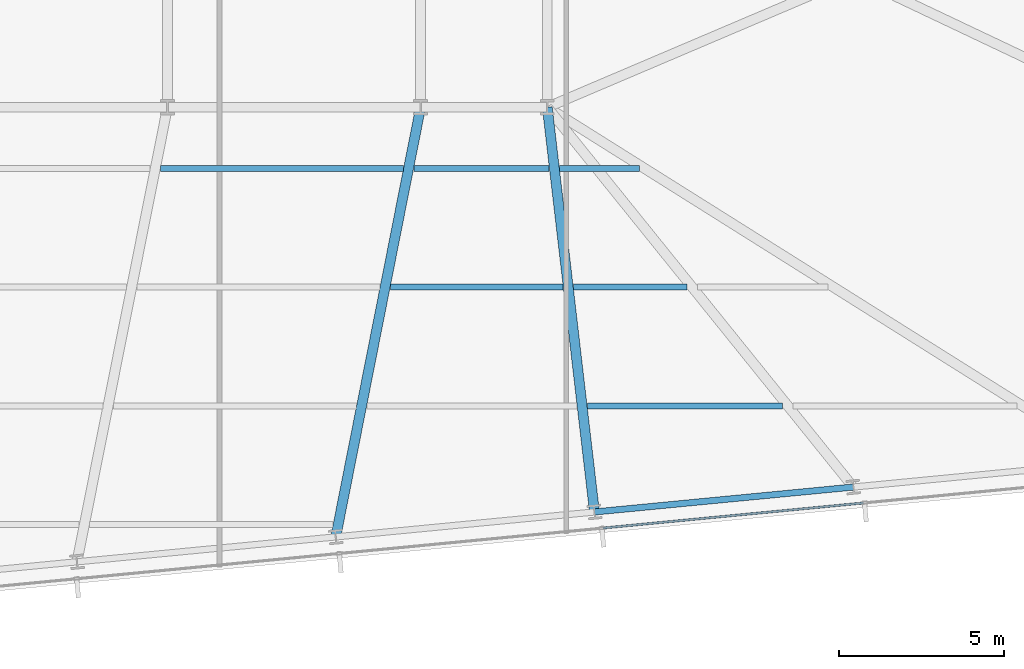
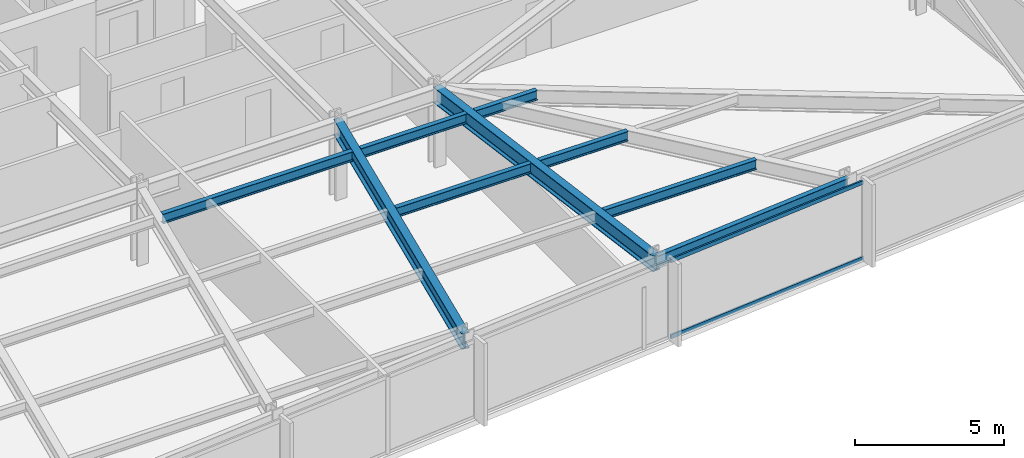
# One storey, part 11 of 32: 9 beams, 2 members, 1 element without a shape of its own.
"""IFC4 building model written with IfcOpenShell, lengths in metres."""

from ifc_helpers import new_model, si_unit, direction, frame, origin, origin_2d, place, context, subcontext, project, spatial, hollow_rectangle, i_section, extrude, material, material_profile, profile_set, type_object, element, aggregate, save


model = new_model("IFC4")

# Units and contexts
model_context = context("Model", 3, precision=1e-05, world=origin(), true_north=direction((0.0, 1.0)))
body_context = subcontext(model_context, "Body", "Model", "MODEL_VIEW")
ifc_project = project(units=[si_unit("LENGTHUNIT", "METRE"), si_unit("AREAUNIT", "SQUARE_METRE"), si_unit("VOLUMEUNIT", "CUBIC_METRE"), si_unit("PLANEANGLEUNIT", "RADIAN"), si_unit("MASSUNIT", "GRAM", prefix="KILO")], contexts=[model_context])

# Site, building, storey
site_placement = place(None, origin())
site = spatial("IfcSite", under=ifc_project, at=site_placement, CompositionType="ELEMENT")
building_placement = place(site_placement, origin())
building = spatial("IfcBuilding", under=site, at=building_placement, Name="Yelkora Congress Tower", CompositionType="ELEMENT")
storey_placement = place(building_placement, frame((0.0, 0.0, 116.89990234375)))
storey = spatial("IfcBuildingStorey", under=building, at=storey_placement, Name="L31", CompositionType="ELEMENT", Elevation=116.89990234375)

# Beams
ifc_material_1 = material(Name="Steel S355J2", Category="steel")
ifc_material_profile_1 = material_profile(ifc_material_1, i_section(OverallWidth=0.300048828125, OverallDepth=0.64990234375, WebThickness=0.01611328125, FlangeThickness=0.031005859375, FilletRadius=0.027099609375, at=origin_2d()), Name="HEB 650")
ifc_profile_set_1 = profile_set([ifc_material_profile_1], Name="Steel S355J2")
beam_type_1 = type_object("IfcBeamType", Name="BM-GIRD-HEB650", PredefinedType="BEAM", material=ifc_profile_set_1)
beam_1_placement = place(storey_placement, frame((51.18359375, 12.16748046875, 2.85498046875), z_axis=(0.193938615251, 0.981013666324, 0.0), x_axis=(-0.981013666324, 0.193938615251, 0.0)))
element("IfcBeam", 1, at=beam_1_placement, inside=storey, type_object=beam_type_1, Name="L31 Primary Frame Girder S05", PredefinedType="BEAM", context=body_context, shape_type="SweptSolid", body=[
    extrude(i_section(OverallWidth=0.300048828125, OverallDepth=0.64990234375, WebThickness=0.01611328125, FlangeThickness=0.031005859375, FilletRadius=0.027099609375, at=origin_2d()), origin(), (0.0, 0.0, 1.0), 13.28466796875),
])
beam_2_placement = place(storey_placement, frame((59.033203125, 12.92333984375, 2.85498046875), z_axis=(-0.115947280821, 0.993255369011, 0.0), x_axis=(-0.993255369011, -0.115947280821, 0.0)))
element("IfcBeam", 2, at=beam_2_placement, inside=storey, type_object=beam_type_1, Name="L31 Primary Frame Girder S06", PredefinedType="BEAM", context=body_context, shape_type="SweptSolid", body=[
    extrude(i_section(OverallWidth=0.300048828125, OverallDepth=0.64990234375, WebThickness=0.01611328125, FlangeThickness=0.031005859375, FilletRadius=0.027099609375, at=origin_2d()), origin(), (0.0, 0.0, 1.0), 12.35986328125),
])
ifc_material_profile_2 = material_profile(ifc_material_1, i_section(OverallWidth=0.179931640625, OverallDepth=0.39990234375, WebThickness=0.008544921875, FlangeThickness=0.013427734375, FilletRadius=0.02099609375, at=origin_2d()), Name="IPE 400")
ifc_profile_set_2 = profile_set([ifc_material_profile_2], Name="Steel S355J2")
beam_type_2 = type_object("IfcBeamType", Name="BM-JOIST-IPE400", PredefinedType="JOIST", material=ifc_profile_set_2)
beam_3_placement = place(storey_placement, frame((58.817138671875, 16.144287109375, 2.97998046875), z_axis=(1.0, 0.0, 0.0), x_axis=(0.0, 1.0, 0.0)))
element("IfcBeam", 3, at=beam_3_placement, inside=storey, type_object=beam_type_2, Name="L31 Composite Floor Joist 9", PredefinedType="JOIST", context=body_context, shape_type="SweptSolid", body=[
    extrude(i_section(OverallWidth=0.179931640625, OverallDepth=0.39990234375, WebThickness=0.008544921875, FlangeThickness=0.013427734375, FilletRadius=0.02099609375, at=origin_2d()), origin(), (0.0, 0.0, 1.0), 5.919189453125),
])
beam_4_placement = place(storey_placement, frame((52.841552734375, 19.744384765625, 2.97998046875), z_axis=(1.0, 0.0, 0.0), x_axis=(0.0, 1.0, 0.0)))
element("IfcBeam", 4, at=beam_4_placement, inside=storey, type_object=beam_type_2, Name="L31 Composite Floor Joist 15", PredefinedType="JOIST", context=body_context, shape_type="SweptSolid", body=[
    extrude(i_section(OverallWidth=0.179931640625, OverallDepth=0.39990234375, WebThickness=0.008544921875, FlangeThickness=0.013427734375, FilletRadius=0.02099609375, at=origin_2d()), origin(), (0.0, 0.0, 1.0), 5.2353515625),
])
beam_5_placement = place(storey_placement, frame((58.39697265625, 19.744384765625, 2.97998046875), z_axis=(1.0, 0.0, 0.0), x_axis=(0.0, 1.0, 0.0)))
element("IfcBeam", 5, at=beam_5_placement, inside=storey, type_object=beam_type_2, Name="L31 Composite Floor Joist 16", PredefinedType="JOIST", context=body_context, shape_type="SweptSolid", body=[
    extrude(i_section(OverallWidth=0.179931640625, OverallDepth=0.39990234375, WebThickness=0.008544921875, FlangeThickness=0.013427734375, FilletRadius=0.02099609375, at=origin_2d()), origin(), (0.0, 0.0, 1.0), 3.438720703125),
])
beam_6_placement = place(storey_placement, frame((45.87060546875, 23.344482421875, 2.97998046875), z_axis=(1.0, 0.0, 0.0), x_axis=(0.0, 1.0, 0.0)))
element("IfcBeam", 6, at=beam_6_placement, inside=storey, type_object=beam_type_2, Name="L31 Composite Floor Joist 21", PredefinedType="JOIST", context=body_context, shape_type="SweptSolid", body=[
    extrude(i_section(OverallWidth=0.179931640625, OverallDepth=0.39990234375, WebThickness=0.008544921875, FlangeThickness=0.013427734375, FilletRadius=0.02099609375, at=origin_2d()), origin(), (0.0, 0.0, 1.0), 7.362548828125),
])
beam_7_placement = place(storey_placement, frame((53.55322265625, 23.344482421875, 2.97998046875), z_axis=(1.0, 0.0, 0.0), x_axis=(0.0, 1.0, 0.0)))
element("IfcBeam", 7, at=beam_7_placement, inside=storey, type_object=beam_type_2, Name="L31 Composite Floor Joist 22", PredefinedType="JOIST", context=body_context, shape_type="SweptSolid", body=[
    extrude(i_section(OverallWidth=0.179931640625, OverallDepth=0.39990234375, WebThickness=0.008544921875, FlangeThickness=0.013427734375, FilletRadius=0.02099609375, at=origin_2d()), origin(), (0.0, 0.0, 1.0), 4.103271484375),
])
beam_8_placement = place(storey_placement, frame((57.9765625, 23.344482421875, 2.97998046875), z_axis=(1.0, 0.0, 0.0), x_axis=(0.0, 1.0, 0.0)))
element("IfcBeam", 8, at=beam_8_placement, inside=storey, type_object=beam_type_2, Name="L31 Composite Floor Joist 23", PredefinedType="JOIST", context=body_context, shape_type="SweptSolid", body=[
    extrude(i_section(OverallWidth=0.179931640625, OverallDepth=0.39990234375, WebThickness=0.008544921875, FlangeThickness=0.013427734375, FilletRadius=0.02099609375, at=origin_2d()), origin(), (0.0, 0.0, 1.0), 2.41650390625),
])
ifc_material_profile_3 = material_profile(ifc_material_1, i_section(OverallWidth=0.18994140625, OverallDepth=0.449951171875, WebThickness=0.009521484375, FlangeThickness=0.0146484375, FilletRadius=0.02099609375, at=origin_2d()), Name="IPE 450")
ifc_profile_set_3 = profile_set([ifc_material_profile_3], Name="Steel S355J2")
beam_type_3 = type_object("IfcBeamType", Name="BM-SPAN-IPE450", PredefinedType="SPANDREL", material=ifc_profile_set_3)
beam_9_placement = place(storey_placement, frame((59.033203125, 12.92333984375, 2.955078125), z_axis=(0.995395575667, 0.095852219286, 0.0), x_axis=(-0.095852219286, 0.995395575667, 0.0)))
element("IfcBeam", 9, at=beam_9_placement, inside=storey, type_object=beam_type_3, Name="L31 Perimeter Beam 8", PredefinedType="SPANDREL", context=body_context, shape_type="SweptSolid", body=[
    extrude(i_section(OverallWidth=0.18994140625, OverallDepth=0.449951171875, WebThickness=0.009521484375, FlangeThickness=0.0146484375, FilletRadius=0.02099609375, at=origin_2d()), origin(), (0.0, 0.0, 1.0), 7.8857421875),
])

# Curtain wall, members
ifc_material_2 = material(Name="Anodised aluminium and insulated glass", Category="aluminium")
curtain_wall_type = type_object("IfcCurtainWallType", Name="CW-SYS-B2", PredefinedType="NOTDEFINED", material=ifc_material_2)
curtain_wall_placement = place(storey_placement, origin())
curtain_wall = element("IfcCurtainWall", 10, at=curtain_wall_placement, inside=storey, type_object=curtain_wall_type, Name="L31 Unitised Curtain Wall 20", PredefinedType="NOTDEFINED")
ifc_material_3 = material(Name="Anodised aluminium 6063-T6", Category="aluminium")
ifc_material_profile_4 = material_profile(ifc_material_3, hollow_rectangle(XDim=0.06494140625, YDim=0.159912109375, WallThickness=0.00390625, at=origin_2d()), Name="ALU 65x160x4")
ifc_profile_set_4 = profile_set([ifc_material_profile_4], Name="Anodised aluminium 6063-T6")
member_type = type_object("IfcMemberType", Name="MEM-TR-B2", PredefinedType="USERDEFINED", material=ifc_profile_set_4)
member_1_placement = place(storey_placement, frame((67.18798828125, 13.1962890625, 0.03271484375), z_axis=(-0.995397293396, -0.095834379534, 0.0), x_axis=(0.095834379534, -0.995397293396, 0.0)))
member_1 = element("IfcMember", 11, at=member_1_placement, type_object=member_type, Name="CW-B2 transom 2.1", ObjectType="TRANSOM", PredefinedType="USERDEFINED", context=body_context, shape_type="SweptSolid", body=[
    extrude(hollow_rectangle(XDim=0.06494140625, YDim=0.159912109375, WallThickness=0.00390625, at=origin_2d()), origin(), (0.0, 0.0, 1.0), 7.93310546875),
])
member_2_placement = place(storey_placement, frame((67.18798828125, 13.1962890625, 3.147705078125), z_axis=(-0.995397293396, -0.095834379534, 0.0), x_axis=(0.095834379534, -0.995397293396, 0.0)))
member_2 = element("IfcMember", 12, at=member_2_placement, type_object=member_type, Name="CW-B2 transom 2.2", ObjectType="TRANSOM", PredefinedType="USERDEFINED", context=body_context, shape_type="SweptSolid", body=[
    extrude(hollow_rectangle(XDim=0.06494140625, YDim=0.159912109375, WallThickness=0.00390625, at=origin_2d()), origin(), (0.0, 0.0, 1.0), 7.93310546875),
])
aggregate(curtain_wall, [member_1, member_2])

save(model, "model.ifc")
